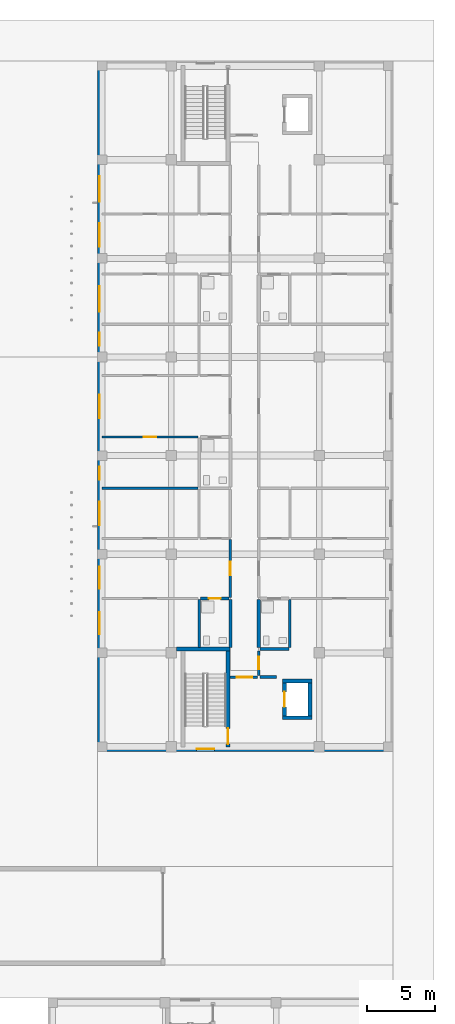
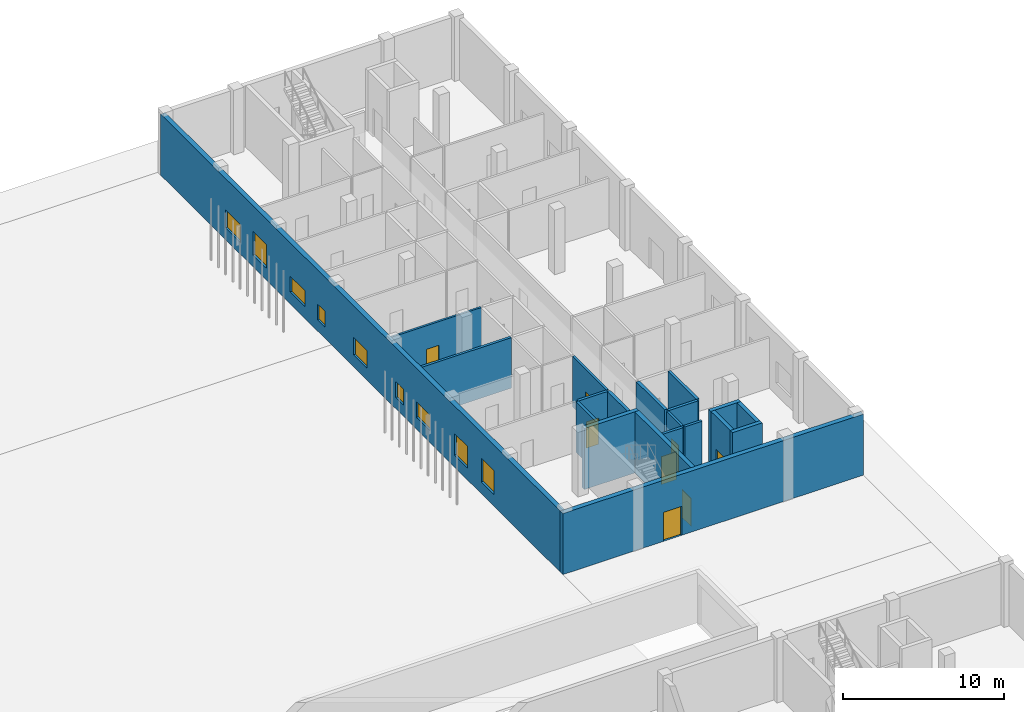
# One storey, part 52 of 85: 20 walls, 9 windows, 8 doors, 17 openings.
"""IFC4 building model written with IfcOpenShell, lengths in metres."""

from ifc_helpers import new_model, si_unit, derived_unit, direction, frame, frame_2d, origin, place, context, subcontext, project, spatial, rectangle, extrude, material, layer, layer_set, type_object, element, fill, save


model = new_model("IFC4")

# Units and contexts
model_context = context("Model", 3, precision=1e-05, world=origin(), true_north=direction((0.0, 1.0)))
body_context = subcontext(model_context, "Body", "Model", "MODEL_VIEW")
ifc_project = project(units=[si_unit("LENGTHUNIT", "METRE"), si_unit("AREAUNIT", "SQUARE_METRE"), si_unit("VOLUMEUNIT", "CUBIC_METRE"), si_unit("PLANEANGLEUNIT", "RADIAN"), si_unit("MASSUNIT", "GRAM", prefix="KILO"), derived_unit("THERMALTRANSMITTANCEUNIT", [(si_unit("MASSUNIT", "GRAM", prefix="KILO"), 1), (si_unit("TIMEUNIT", "SECOND"), -3), (si_unit("THERMODYNAMICTEMPERATUREUNIT", "KELVIN"), -1)])], contexts=[model_context])

# Site, building, storey
site_placement = place(None, origin())
site = spatial("IfcSite", under=ifc_project, at=site_placement, CompositionType="ELEMENT")
building_placement = place(site_placement, origin())
building = spatial("IfcBuilding", under=site, at=building_placement, Name="Ochrekiln Boulevard Commons", CompositionType="ELEMENT")
storey_placement = place(building_placement, origin())
storey = spatial("IfcBuildingStorey", under=building, at=storey_placement, Name="L00", CompositionType="ELEMENT", Elevation=0.0)

# Wall, opening, door
ifc_material_1 = material(Name="Iron-spot brown clinker brick masonry ASTM C216 Grade SW", Category="masonry")
ifc_layer_1 = layer(ifc_material_1, 0.340087890625)
ifc_layer_set_1 = layer_set([ifc_layer_1], Name="Iron-spot brown clinker brick masonry ASTM C216 Grade SW")
wall_type_1 = type_object("IfcWallType", Name="WL-EXT-IRON-340", PredefinedType="SOLIDWALL", material=ifc_layer_set_1)
wall_1_placement = place(storey_placement, frame((151.199951171875, 68.570068359375, 0.0), z_axis=(0.0, 0.0, 1.0), x_axis=(1.0, 0.0, 0.0)))
wall_1 = element("IfcWall", 1, at=wall_1_placement, inside=storey, type_object=wall_type_1, Name="Block B L00 S Exterior Wall", PredefinedType="SOLIDWALL", context=body_context, shape_type="SweptSolid", body=[
    extrude(rectangle(XDim=21.60009765625, YDim=0.340087890625, at=frame_2d((10.800048828125, 0.0))), origin(), (0.0, 0.0, 1.0), 4.639892578125),
])
opening_1_placement = place(wall_1_placement, frame((7.25, 0.0, 0.0)))
opening_1 = element("IfcOpeningElement", 2, at=opening_1_placement, cuts=wall_1, Name="Opening D-L00-EX18", PredefinedType="OPENING", context=body_context, shape_type="SweptSolid", body=[
    extrude(rectangle(XDim=1.300048828125, YDim=2.199951171875, at=frame_2d((0.64990234375, 1.10009765625))), frame((0.0, 0.179931640625, 0.0), z_axis=(0.0, -1.0, 0.0), x_axis=(1.0, 0.0, 0.0)), (0.0, 0.0, 1.0), 0.360107421875),
])
ifc_material_2 = material(Name="Bronze-anodized extruded aluminium 6063-T6", Category="aluminium")
door_type_1 = type_object("IfcDoorType", Name="DR-EXT-STAIR-130", OperationType="NOTDEFINED", PredefinedType="DOOR", material=ifc_material_2)
door_1_placement = place(opening_1_placement, frame((1.300048828125, 0.0, 0.0), z_axis=(0.0, 0.0, 1.0), x_axis=(-1.0, 0.0, 0.0)))
door_1 = element("IfcDoor", 3, at=door_1_placement, inside=storey, type_object=door_type_1, Name="Stair ST-B1 Exterior Exit Discharge Door", OperationType="SINGLE_SWING_RIGHT", OverallHeight=2.199951171875, OverallWidth=1.300048828125, PredefinedType="DOOR", context=body_context, shape_type="SweptSolid", body=[
    extrude(rectangle(XDim=1.300048828125, YDim=2.199951171875, at=frame_2d((0.64990234375, 1.10009765625))), frame((0.0, 0.02490234375, 0.0), z_axis=(0.0, -1.0, 0.0), x_axis=(1.0, 0.0, 0.0)), (0.0, 0.0, 1.0), 0.050048828125),
])
fill(opening_1, door_1)

# Wall, openings, windows
wall_2_placement = place(storey_placement, frame((151.3701171875, 68.739990234375, 0.0), z_axis=(0.0, 0.0, 1.0), x_axis=(0.0, 1.0, 0.0)))
wall_2 = element("IfcWall", 4, at=wall_2_placement, inside=storey, type_object=wall_type_1, Name="Block B L00 W Exterior Wall", PredefinedType="SOLIDWALL", context=body_context, shape_type="SweptSolid", body=[
    extrude(rectangle(XDim=49.719970703125, YDim=0.340087890625, at=frame_2d((24.85986328125, 0.0))), origin(), (0.0, 0.0, 1.0), 4.639892578125),
])
opening_2_placement = place(wall_2_placement, frame((11.552001953125, 0.0, 0.89990234375)))
opening_2 = element("IfcOpeningElement", 5, at=opening_2_placement, cuts=wall_2, Name="Opening W-34", PredefinedType="OPENING", context=body_context, shape_type="SweptSolid", body=[
    extrude(rectangle(XDim=1.60009765625, YDim=1.64990234375, at=frame_2d((0.800048828125, 0.824951171875))), frame((0.0, 0.179931640625, 0.0), z_axis=(0.0, -1.0, 0.0), x_axis=(1.0, 0.0, 0.0)), (0.0, 0.0, 1.0), 0.360107421875),
])
opening_3_placement = place(wall_2_placement, frame((8.20703125, 0.0, 0.89990234375)))
opening_3 = element("IfcOpeningElement", 6, at=opening_3_placement, cuts=wall_2, Name="Opening W-35", PredefinedType="OPENING", context=body_context, shape_type="SweptSolid", body=[
    extrude(rectangle(XDim=1.60009765625, YDim=1.800048828125, at=frame_2d((0.800048828125, 0.89990234375))), frame((0.0, 0.179931640625, 0.0), z_axis=(0.0, -1.0, 0.0), x_axis=(1.0, 0.0, 0.0)), (0.0, 0.0, 1.0), 0.360107421875),
])
opening_4_placement = place(wall_2_placement, frame((16.179931640625, 0.0, 0.89990234375)))
opening_4 = element("IfcOpeningElement", 7, at=opening_4_placement, cuts=wall_2, Name="Opening W-36", PredefinedType="OPENING", context=body_context, shape_type="SweptSolid", body=[
    extrude(rectangle(XDim=1.719970703125, YDim=1.199951171875, at=frame_2d((0.85986328125, 0.60009765625))), frame((0.0, 0.179931640625, 0.0), z_axis=(0.0, -1.0, 0.0), x_axis=(1.0, 0.0, 0.0)), (0.0, 0.0, 1.0), 0.360107421875),
])
opening_5_placement = place(wall_2_placement, frame((24.0, 0.0, 0.89990234375)))
opening_5 = element("IfcOpeningElement", 8, at=opening_5_placement, cuts=wall_2, Name="Opening W-37", PredefinedType="OPENING", context=body_context, shape_type="SweptSolid", body=[
    extrude(rectangle(XDim=1.719970703125, YDim=1.35009765625, at=frame_2d((0.85986328125, 0.675048828125))), frame((0.0, 0.179931640625, 0.0), z_axis=(0.0, -1.0, 0.0), x_axis=(1.0, 0.0, 0.0)), (0.0, 0.0, 1.0), 0.360107421875),
])
opening_6_placement = place(wall_2_placement, frame((19.5029296875, 0.0, 0.85009765625)))
opening_6 = element("IfcOpeningElement", 9, at=opening_6_placement, cuts=wall_2, Name="Opening W-01", PredefinedType="OPENING", context=body_context, shape_type="SweptSolid", body=[
    extrude(rectangle(XDim=0.949951171875, YDim=1.199951171875, at=frame_2d((0.47509765625, 0.60009765625))), frame((0.0, 0.179931640625, 0.0), z_axis=(0.0, -1.0, 0.0), x_axis=(1.0, 0.0, 0.0)), (0.0, 0.0, 1.0), 0.360107421875),
])
opening_7_placement = place(wall_2_placement, frame((29.26708984375, 0.0, 0.85009765625)))
opening_7 = element("IfcOpeningElement", 10, at=opening_7_placement, cuts=wall_2, Name="Opening W-01", PredefinedType="OPENING", context=body_context, shape_type="SweptSolid", body=[
    extrude(rectangle(XDim=0.949951171875, YDim=1.199951171875, at=frame_2d((0.47509765625, 0.60009765625))), frame((0.0, 0.179931640625, 0.0), z_axis=(0.0, -1.0, 0.0), x_axis=(1.0, 0.0, 0.0)), (0.0, 0.0, 1.0), 0.360107421875),
])
opening_8_placement = place(wall_2_placement, frame((36.508056640625, 0.0, 0.89990234375)))
opening_8 = element("IfcOpeningElement", 11, at=opening_8_placement, cuts=wall_2, Name="Opening W-40", PredefinedType="OPENING", context=body_context, shape_type="SweptSolid", body=[
    extrude(rectangle(XDim=1.719970703125, YDim=1.800048828125, at=frame_2d((0.85986328125, 0.89990234375))), frame((0.0, 0.179931640625, 0.0), z_axis=(0.0, -1.0, 0.0), x_axis=(1.0, 0.0, 0.0)), (0.0, 0.0, 1.0), 0.360107421875),
])
opening_9_placement = place(wall_2_placement, frame((31.756103515625, 0.0, 0.89990234375)))
opening_9 = element("IfcOpeningElement", 12, at=opening_9_placement, cuts=wall_2, Name="Opening W-41", PredefinedType="OPENING", context=body_context, shape_type="SweptSolid", body=[
    extrude(rectangle(XDim=1.85009765625, YDim=1.199951171875, at=frame_2d((0.925048828125, 0.60009765625))), frame((0.0, 0.179931640625, 0.0), z_axis=(0.0, -1.0, 0.0), x_axis=(1.0, 0.0, 0.0)), (0.0, 0.0, 1.0), 0.360107421875),
])
opening_10_placement = place(wall_2_placement, frame((39.7880859375, 0.0, 0.89990234375)))
opening_10 = element("IfcOpeningElement", 13, at=opening_10_placement, cuts=wall_2, Name="Opening W-42", PredefinedType="OPENING", context=body_context, shape_type="SweptSolid", body=[
    extrude(rectangle(XDim=1.85009765625, YDim=1.35009765625, at=frame_2d((0.925048828125, 0.675048828125))), frame((0.0, 0.179931640625, 0.0), z_axis=(0.0, -1.0, 0.0), x_axis=(1.0, 0.0, 0.0)), (0.0, 0.0, 1.0), 0.360107421875),
])
ifc_material_3 = material(Name="Thermally broken aluminium-clad oak frame", Category="aluminium")
window_type_1 = type_object("IfcWindowType", Name="WIN-EXT-01", PartitioningType="SINGLE_PANEL", PredefinedType="WINDOW", material=ifc_material_3)
window_1_placement = place(opening_6_placement, origin())
window_1 = element("IfcWindow", 14, at=window_1_placement, inside=storey, type_object=window_type_1, Name="Block B L00 Punched Masonry Window W-01", OverallHeight=1.199951171875, OverallWidth=0.949951171875, PartitioningType="SINGLE_PANEL", PredefinedType="WINDOW", context=body_context, shape_type="SweptSolid", body=[
    extrude(rectangle(XDim=0.949951171875, YDim=1.199951171875, at=frame_2d((0.47509765625, 0.60009765625))), frame((0.0, 0.030029296875, 0.0), z_axis=(0.0, -1.0, 0.0), x_axis=(1.0, 0.0, 0.0)), (0.0, 0.0, 1.0), 0.06005859375),
])
fill(opening_6, window_1)
window_2_placement = place(opening_7_placement, origin())
window_2 = element("IfcWindow", 15, at=window_2_placement, inside=storey, type_object=window_type_1, Name="Block B L00 Punched Masonry Window W-01", OverallHeight=1.199951171875, OverallWidth=0.949951171875, PartitioningType="SINGLE_PANEL", PredefinedType="WINDOW", context=body_context, shape_type="SweptSolid", body=[
    extrude(rectangle(XDim=0.949951171875, YDim=1.199951171875, at=frame_2d((0.47509765625, 0.60009765625))), frame((0.0, 0.030029296875, 0.0), z_axis=(0.0, -1.0, 0.0), x_axis=(1.0, 0.0, 0.0)), (0.0, 0.0, 1.0), 0.06005859375),
])
fill(opening_7, window_2)
window_type_2 = type_object("IfcWindowType", Name="WIN-EXT-34", PartitioningType="DOUBLE_PANEL_VERTICAL", PredefinedType="WINDOW", material=ifc_material_3)
window_3_placement = place(opening_2_placement, origin())
window_3 = element("IfcWindow", 16, at=window_3_placement, inside=storey, type_object=window_type_2, Name="Block B L00 Punched Masonry Window W-34", OverallHeight=1.64990234375, OverallWidth=1.60009765625, PartitioningType="DOUBLE_PANEL_VERTICAL", PredefinedType="WINDOW", context=body_context, shape_type="SweptSolid", body=[
    extrude(rectangle(XDim=1.60009765625, YDim=1.64990234375, at=frame_2d((0.800048828125, 0.824951171875))), frame((0.0, 0.030029296875, 0.0), z_axis=(0.0, -1.0, 0.0), x_axis=(1.0, 0.0, 0.0)), (0.0, 0.0, 1.0), 0.06005859375),
])
fill(opening_2, window_3)
window_type_3 = type_object("IfcWindowType", Name="WIN-EXT-35", PartitioningType="DOUBLE_PANEL_VERTICAL", PredefinedType="WINDOW", material=ifc_material_3)
window_4_placement = place(opening_3_placement, origin())
window_4 = element("IfcWindow", 17, at=window_4_placement, inside=storey, type_object=window_type_3, Name="Block B L00 Punched Masonry Window W-35", OverallHeight=1.800048828125, OverallWidth=1.60009765625, PartitioningType="DOUBLE_PANEL_VERTICAL", PredefinedType="WINDOW", context=body_context, shape_type="SweptSolid", body=[
    extrude(rectangle(XDim=1.60009765625, YDim=1.800048828125, at=frame_2d((0.800048828125, 0.89990234375))), frame((0.0, 0.030029296875, 0.0), z_axis=(0.0, -1.0, 0.0), x_axis=(1.0, 0.0, 0.0)), (0.0, 0.0, 1.0), 0.06005859375),
])
fill(opening_3, window_4)
window_type_4 = type_object("IfcWindowType", Name="WIN-EXT-36", PartitioningType="DOUBLE_PANEL_VERTICAL", PredefinedType="WINDOW", material=ifc_material_3)
window_5_placement = place(opening_4_placement, origin())
window_5 = element("IfcWindow", 18, at=window_5_placement, inside=storey, type_object=window_type_4, Name="Block B L00 Punched Masonry Window W-36", OverallHeight=1.199951171875, OverallWidth=1.719970703125, PartitioningType="DOUBLE_PANEL_VERTICAL", PredefinedType="WINDOW", context=body_context, shape_type="SweptSolid", body=[
    extrude(rectangle(XDim=1.719970703125, YDim=1.199951171875, at=frame_2d((0.85986328125, 0.60009765625))), frame((0.0, 0.030029296875, 0.0), z_axis=(0.0, -1.0, 0.0), x_axis=(1.0, 0.0, 0.0)), (0.0, 0.0, 1.0), 0.06005859375),
])
fill(opening_4, window_5)
window_type_5 = type_object("IfcWindowType", Name="WIN-EXT-37", PartitioningType="DOUBLE_PANEL_VERTICAL", PredefinedType="WINDOW", material=ifc_material_3)
window_6_placement = place(opening_5_placement, origin())
window_6 = element("IfcWindow", 19, at=window_6_placement, inside=storey, type_object=window_type_5, Name="Block B L00 Punched Masonry Window W-37", OverallHeight=1.35009765625, OverallWidth=1.719970703125, PartitioningType="DOUBLE_PANEL_VERTICAL", PredefinedType="WINDOW", context=body_context, shape_type="SweptSolid", body=[
    extrude(rectangle(XDim=1.719970703125, YDim=1.35009765625, at=frame_2d((0.85986328125, 0.675048828125))), frame((0.0, 0.030029296875, 0.0), z_axis=(0.0, -1.0, 0.0), x_axis=(1.0, 0.0, 0.0)), (0.0, 0.0, 1.0), 0.06005859375),
])
fill(opening_5, window_6)
window_type_6 = type_object("IfcWindowType", Name="WIN-EXT-40", PartitioningType="DOUBLE_PANEL_VERTICAL", PredefinedType="WINDOW", material=ifc_material_3)
window_7_placement = place(opening_8_placement, origin())
window_7 = element("IfcWindow", 20, at=window_7_placement, inside=storey, type_object=window_type_6, Name="Block B L00 Punched Masonry Window W-40", OverallHeight=1.800048828125, OverallWidth=1.719970703125, PartitioningType="DOUBLE_PANEL_VERTICAL", PredefinedType="WINDOW", context=body_context, shape_type="SweptSolid", body=[
    extrude(rectangle(XDim=1.719970703125, YDim=1.800048828125, at=frame_2d((0.85986328125, 0.89990234375))), frame((0.0, 0.030029296875, 0.0), z_axis=(0.0, -1.0, 0.0), x_axis=(1.0, 0.0, 0.0)), (0.0, 0.0, 1.0), 0.06005859375),
])
fill(opening_8, window_7)
window_type_7 = type_object("IfcWindowType", Name="WIN-EXT-41", PartitioningType="DOUBLE_PANEL_VERTICAL", PredefinedType="WINDOW", material=ifc_material_3)
window_8_placement = place(opening_9_placement, origin())
window_8 = element("IfcWindow", 21, at=window_8_placement, inside=storey, type_object=window_type_7, Name="Block B L00 Punched Masonry Window W-41", OverallHeight=1.199951171875, OverallWidth=1.85009765625, PartitioningType="DOUBLE_PANEL_VERTICAL", PredefinedType="WINDOW", context=body_context, shape_type="SweptSolid", body=[
    extrude(rectangle(XDim=1.85009765625, YDim=1.199951171875, at=frame_2d((0.925048828125, 0.60009765625))), frame((0.0, 0.030029296875, 0.0), z_axis=(0.0, -1.0, 0.0), x_axis=(1.0, 0.0, 0.0)), (0.0, 0.0, 1.0), 0.06005859375),
])
fill(opening_9, window_8)
window_type_8 = type_object("IfcWindowType", Name="WIN-EXT-42", PartitioningType="DOUBLE_PANEL_VERTICAL", PredefinedType="WINDOW", material=ifc_material_3)
window_9_placement = place(opening_10_placement, origin())
window_9 = element("IfcWindow", 22, at=window_9_placement, inside=storey, type_object=window_type_8, Name="Block B L00 Punched Masonry Window W-42", OverallHeight=1.35009765625, OverallWidth=1.85009765625, PartitioningType="DOUBLE_PANEL_VERTICAL", PredefinedType="WINDOW", context=body_context, shape_type="SweptSolid", body=[
    extrude(rectangle(XDim=1.85009765625, YDim=1.35009765625, at=frame_2d((0.925048828125, 0.675048828125))), frame((0.0, 0.030029296875, 0.0), z_axis=(0.0, -1.0, 0.0), x_axis=(1.0, 0.0, 0.0)), (0.0, 0.0, 1.0), 0.06005859375),
])
fill(opening_10, window_9)

# Wall
ifc_material_4 = material(Name="Moisture-resistant cementitious tile backer wall")
ifc_layer_2 = layer(ifc_material_4, 0.199951171875)
ifc_layer_set_2 = layer_set([ifc_layer_2], Name="Moisture-resistant cementitious tile backer wall")
wall_type_2 = type_object("IfcWallType", Name="WL-PLM-200", PredefinedType="PLUMBINGWALL", material=ifc_layer_set_2)
wall_3_placement = place(storey_placement, frame((163.072998046875, 75.875, 0.0), z_axis=(0.0, 0.0, 1.0), x_axis=(1.0, 0.0, 0.0)))
element("IfcWall", 23, at=wall_3_placement, inside=storey, type_object=wall_type_2, Name="L00 Interior Wall W-PW200", PredefinedType="PLUMBINGWALL", context=body_context, shape_type="SweptSolid", body=[
    extrude(rectangle(XDim=2.10693359375, YDim=0.199951171875, at=frame_2d((1.053466796875, 0.0))), origin(), (0.0, 0.0, 1.0), 3.840087890625),
])

# Wall, opening, door
wall_4_placement = place(storey_placement, frame((158.719970703125, 79.572998046875, 0.0), z_axis=(0.0, 0.0, 1.0), x_axis=(1.0, 0.0, 0.0)))
wall_4 = element("IfcWall", 24, at=wall_4_placement, inside=storey, type_object=wall_type_2, Name="L00 Interior Wall W-PW200", PredefinedType="PLUMBINGWALL", context=body_context, shape_type="SweptSolid", body=[
    extrude(rectangle(XDim=2.10693359375, YDim=0.199951171875, at=frame_2d((1.053466796875, 0.0))), origin(), (0.0, 0.0, 1.0), 3.840087890625),
])
opening_11_placement = place(wall_4_placement, frame((0.6201171875, 0.0, 0.0)))
opening_11 = element("IfcOpeningElement", 25, at=opening_11_placement, cuts=wall_4, Name="Opening D-L00-032", PredefinedType="OPENING", context=body_context, shape_type="SweptSolid", body=[
    extrude(rectangle(XDim=0.860107421875, YDim=2.0, at=frame_2d((0.43017578125, 1.0))), frame((0.0, 0.10986328125, 0.0), z_axis=(0.0, -1.0, 0.0), x_axis=(1.0, 0.0, 0.0)), (0.0, 0.0, 1.0), 0.219970703125),
])
ifc_material_5 = material(Name="Solid core architectural oak door leaf")
door_type_2 = type_object("IfcDoorType", Name="DR-INT-BTH-086", OperationType="NOTDEFINED", PredefinedType="DOOR", material=ifc_material_5)
door_2_placement = place(opening_11_placement, frame((0.860107421875, 0.0, 0.0), z_axis=(0.0, 0.0, 1.0), x_axis=(-1.0, 0.0, 0.0)))
door_2 = element("IfcDoor", 26, at=door_2_placement, inside=storey, type_object=door_type_2, Name="L00 Interior Door to Accessible Apartment Bathroom", OperationType="SINGLE_SWING_RIGHT", OverallHeight=2.0, OverallWidth=0.860107421875, PredefinedType="DOOR", context=body_context, shape_type="SweptSolid", body=[
    extrude(rectangle(XDim=0.860107421875, YDim=2.0, at=frame_2d((0.43017578125, 1.0))), frame((0.0, 0.02490234375, 0.0), z_axis=(0.0, -1.0, 0.0), x_axis=(1.0, 0.0, 0.0)), (0.0, 0.0, 1.0), 0.050048828125),
])
fill(opening_11, door_2)

# Walls
wall_5_placement = place(storey_placement, frame((158.639892578125, 76.0, 0.0), z_axis=(0.0, 0.0, 1.0), x_axis=(0.0, 1.0, 0.0)))
element("IfcWall", 27, at=wall_5_placement, inside=storey, type_object=wall_type_2, Name="L00 Interior Wall W-PW200", PredefinedType="PLUMBINGWALL", context=body_context, shape_type="SweptSolid", body=[
    extrude(rectangle(XDim=3.492919921875, YDim=0.199951171875, at=frame_2d((1.74658203125, 0.0))), origin(), (0.0, 0.0, 1.0), 3.840087890625),
])
wall_6_placement = place(storey_placement, frame((165.260009765625, 75.97509765625, 0.0), z_axis=(0.0, 0.0, 1.0), x_axis=(0.0, 1.0, 0.0)))
element("IfcWall", 28, at=wall_6_placement, inside=storey, type_object=wall_type_2, Name="L00 Interior Wall W-PW200", PredefinedType="PLUMBINGWALL", context=body_context, shape_type="SweptSolid", body=[
    extrude(rectangle(XDim=3.517822265625, YDim=0.199951171875, at=frame_2d((1.7587890625, 0.0))), origin(), (0.0, 0.0, 1.0), 3.840087890625),
])
ifc_layer_3 = layer(ifc_material_4, 0.219970703125)
ifc_layer_set_3 = layer_set([ifc_layer_3], Name="Moisture-resistant cementitious tile backer wall")
wall_type_3 = type_object("IfcWallType", Name="WL-PLM-220", PredefinedType="PLUMBINGWALL", material=ifc_layer_set_3)
wall_7_placement = place(storey_placement, frame((160.909912109375, 76.0, 0.0), z_axis=(0.0, 0.0, 1.0), x_axis=(0.0, 1.0, 0.0)))
element("IfcWall", 29, at=wall_7_placement, inside=storey, type_object=wall_type_3, Name="L00 Interior Wall W-PW220", PredefinedType="PLUMBINGWALL", context=body_context, shape_type="SweptSolid", body=[
    extrude(rectangle(XDim=3.492919921875, YDim=0.219970703125, at=frame_2d((1.74658203125, 0.0))), origin(), (0.0, 0.0, 1.0), 3.840087890625),
])
wall_8_placement = place(storey_placement, frame((162.989990234375, 75.97509765625, 0.0), z_axis=(0.0, 0.0, 1.0), x_axis=(0.0, 1.0, 0.0)))
element("IfcWall", 30, at=wall_8_placement, inside=storey, type_object=wall_type_3, Name="L00 Interior Wall W-PW220", PredefinedType="PLUMBINGWALL", context=body_context, shape_type="SweptSolid", body=[
    extrude(rectangle(XDim=3.517822265625, YDim=0.219970703125, at=frame_2d((1.7587890625, 0.0))), origin(), (0.0, 0.0, 1.0), 3.840087890625),
])

# Wall, opening, door
ifc_material_6 = material(Name="Fire-rated Type X gypsum board on steel studs", Category="steel")
ifc_layer_4 = layer(ifc_material_6, 0.1650390625)
ifc_layer_set_4 = layer_set([ifc_layer_4], Name="Fire-rated Type X gypsum board on steel studs")
wall_type_4 = type_object("IfcWallType", Name="WL-PT-CORR-165", PredefinedType="PARTITIONING", material=ifc_layer_set_4)
wall_9_placement = place(storey_placement, frame((162.989990234375, 73.929931640625, 0.0), z_axis=(0.0, 0.0, 1.0), x_axis=(0.0, 1.0, 0.0)))
wall_9 = element("IfcWall", 31, at=wall_9_placement, inside=storey, type_object=wall_type_4, Name="L00 Interior Wall W-PC165", PredefinedType="PARTITIONING", context=body_context, shape_type="SweptSolid", body=[
    extrude(rectangle(XDim=1.820068359375, YDim=0.1650390625, at=frame_2d((0.91015625, 0.0))), origin(), (0.0, 0.0, 1.0), 3.840087890625),
])
opening_12_placement = place(wall_9_placement, frame((0.4599609375, 0.0, 0.0)))
opening_12 = element("IfcOpeningElement", 32, at=opening_12_placement, cuts=wall_9, Name="Opening D-L00-025", PredefinedType="OPENING", context=body_context, shape_type="SweptSolid", body=[
    extrude(rectangle(XDim=0.919921875, YDim=2.0400390625, at=frame_2d((0.4599609375, 1.02001953125))), frame((0.0, 0.092529296875, 0.0), z_axis=(0.0, -1.0, 0.0), x_axis=(1.0, 0.0, 0.0)), (0.0, 0.0, 1.0), 0.18505859375),
])
ifc_material_7 = material(Name="Hollow metal fire-rated steel door assembly", Category="steel")
door_type_3 = type_object("IfcDoorType", Name="DR-SRV-90", OperationType="NOTDEFINED", PredefinedType="DOOR", material=ifc_material_7)
door_3_placement = place(opening_12_placement, frame((0.919921875, 0.0, 0.0), z_axis=(0.0, 0.0, 1.0), x_axis=(-1.0, 0.0, 0.0)))
door_3 = element("IfcDoor", 33, at=door_3_placement, inside=storey, type_object=door_type_3, Name="L00 Interior Door to Hydronic and Electrical Riser Room", OperationType="SINGLE_SWING_LEFT", OverallHeight=2.0400390625, OverallWidth=0.919921875, PredefinedType="DOOR", context=body_context, shape_type="SweptSolid", body=[
    extrude(rectangle(XDim=0.919921875, YDim=2.0400390625, at=frame_2d((0.4599609375, 1.02001953125))), frame((0.0, 0.02490234375, 0.0), z_axis=(0.0, -1.0, 0.0), x_axis=(1.0, 0.0, 0.0)), (0.0, 0.0, 1.0), 0.050048828125),
])
fill(opening_12, door_3)

wall_10_placement = place(storey_placement, frame((160.909912109375, 79.653076171875, 0.0), z_axis=(0.0, 0.0, 1.0), x_axis=(0.0, 1.0, 0.0)))
wall_10 = element("IfcWall", 34, at=wall_10_placement, inside=storey, type_object=wall_type_4, Name="L00 Interior Wall W-PC165", PredefinedType="PARTITIONING", context=body_context, shape_type="SweptSolid", body=[
    extrude(rectangle(XDim=4.219970703125, YDim=0.1650390625, at=frame_2d((2.10986328125, 0.0))), origin(), (0.0, 0.0, 1.0), 3.840087890625),
])
opening_13_placement = place(wall_10_placement, frame((1.60498046875, 0.0, 0.0)))
opening_13 = element("IfcOpeningElement", 35, at=opening_13_placement, cuts=wall_10, Name="Opening D-L00-026", PredefinedType="OPENING", context=body_context, shape_type="SweptSolid", body=[
    extrude(rectangle(XDim=1.010009765625, YDim=2.110107421875, at=frame_2d((0.5048828125, 1.05517578125))), frame((0.0, 0.092529296875, 0.0), z_axis=(0.0, -1.0, 0.0), x_axis=(1.0, 0.0, 0.0)), (0.0, 0.0, 1.0), 0.18505859375),
])
door_type_4 = type_object("IfcDoorType", Name="DR-INT-APT-101", OperationType="NOTDEFINED", PredefinedType="DOOR", material=ifc_material_5)
door_4_placement = place(opening_13_placement, origin())
door_4 = element("IfcDoor", 36, at=door_4_placement, inside=storey, type_object=door_type_4, Name="L00 Interior Door to Two-Bedroom Apartment Living Room", OperationType="SINGLE_SWING_RIGHT", OverallHeight=2.110107421875, OverallWidth=1.010009765625, PredefinedType="DOOR", context=body_context, shape_type="SweptSolid", body=[
    extrude(rectangle(XDim=1.010009765625, YDim=2.110107421875, at=frame_2d((0.5048828125, 1.05517578125))), frame((0.0, 0.02490234375, 0.0), z_axis=(0.0, -1.0, 0.0), x_axis=(1.0, 0.0, 0.0)), (0.0, 0.0, 1.0), 0.050048828125),
])
fill(opening_13, door_4)

# Walls
ifc_layer_5 = layer(ifc_material_6, 0.179931640625)
ifc_layer_set_5 = layer_set([ifc_layer_5], Name="Fire-rated Type X gypsum board on steel studs")
wall_type_5 = type_object("IfcWallType", Name="WL-PT-DEM-180", PredefinedType="PARTITIONING", material=ifc_layer_set_5)
wall_11_placement = place(storey_placement, frame((151.5400390625, 87.615966796875, 0.0), z_axis=(0.0, 0.0, 1.0), x_axis=(1.0, 0.0, 0.0)))
element("IfcWall", 37, at=wall_11_placement, inside=storey, type_object=wall_type_5, Name="L00 Interior Wall W-PD180", PredefinedType="PARTITIONING", context=body_context, shape_type="SweptSolid", body=[
    extrude(rectangle(XDim=7.02001953125, YDim=0.179931640625, at=frame_2d((3.510009765625, 0.0))), origin(), (0.0, 0.0, 1.0), 3.840087890625),
])
ifc_layer_6 = layer(ifc_material_6, 0.18994140625)
ifc_layer_set_6 = layer_set([ifc_layer_6], Name="Fire-rated Type X gypsum board on steel studs")
wall_type_6 = type_object("IfcWallType", Name="WL-PT-LBY-190", PredefinedType="PARTITIONING", material=ifc_layer_set_6)
wall_12_placement = place(storey_placement, frame((163.080078125, 73.8349609375, 0.0), z_axis=(0.0, 0.0, 1.0), x_axis=(1.0, 0.0, 0.0)))
element("IfcWall", 38, at=wall_12_placement, inside=storey, type_object=wall_type_6, Name="L00 Interior Wall W-PL190", PredefinedType="PARTITIONING", context=body_context, shape_type="SweptSolid", body=[
    extrude(rectangle(XDim=1.219970703125, YDim=0.18994140625, at=frame_2d((0.60986328125, 0.0))), origin(), (0.0, 0.0, 1.0), 3.840087890625),
])

# Wall, opening, door
wall_13_placement = place(storey_placement, frame((160.89990234375, 73.820068359375, 0.0), z_axis=(0.0, 0.0, 1.0), x_axis=(1.0, 0.0, 0.0)))
wall_13 = element("IfcWall", 39, at=wall_13_placement, inside=storey, type_object=wall_type_6, Name="L00 Interior Wall W-PL190", PredefinedType="PARTITIONING", context=body_context, shape_type="SweptSolid", body=[
    extrude(rectangle(XDim=2.0, YDim=0.18994140625, at=frame_2d((1.0, 0.0))), origin(), (0.0, 0.0, 1.0), 3.840087890625),
])
opening_14_placement = place(wall_13_placement, frame((0.5, 0.0, 0.0)))
opening_14 = element("IfcOpeningElement", 40, at=opening_14_placement, cuts=wall_13, Name="Opening D-L00-023", PredefinedType="OPENING", context=body_context, shape_type="SweptSolid", body=[
    extrude(rectangle(XDim=1.10009765625, YDim=2.1201171875, at=frame_2d((0.550048828125, 1.06005859375))), frame((0.0, 0.10498046875, 0.0), z_axis=(0.0, -1.0, 0.0), x_axis=(1.0, 0.0, 0.0)), (0.0, 0.0, 1.0), 0.2099609375),
])
door_type_5 = type_object("IfcDoorType", Name="DR-LOBBY-60", OperationType="NOTDEFINED", PredefinedType="DOOR", material=ifc_material_7)
door_5_placement = place(opening_14_placement, frame((1.10009765625, 0.0, 0.0), z_axis=(0.0, 0.0, 1.0), x_axis=(-1.0, 0.0, 0.0)))
door_5 = element("IfcDoor", 41, at=door_5_placement, inside=storey, type_object=door_type_5, Name="L00 Interior Door to Fire Service Access Elevator Lobby", OperationType="SINGLE_SWING_LEFT", OverallHeight=2.1201171875, OverallWidth=1.10009765625, PredefinedType="DOOR", context=body_context, shape_type="SweptSolid", body=[
    extrude(rectangle(XDim=1.10009765625, YDim=2.1201171875, at=frame_2d((0.550048828125, 1.06005859375))), frame((0.0, 0.02490234375, 0.0), z_axis=(0.0, -1.0, 0.0), x_axis=(1.0, 0.0, 0.0)), (0.0, 0.0, 1.0), 0.050048828125),
])
fill(opening_14, door_5)

ifc_layer_7 = layer(ifc_material_6, 0.14990234375)
ifc_layer_set_7 = layer_set([ifc_layer_7], Name="Fire-rated Type X gypsum board on steel studs")
wall_type_7 = type_object("IfcWallType", Name="WL-PT-STD-150", PredefinedType="PARTITIONING", material=ifc_layer_set_7)
wall_14_placement = place(storey_placement, frame((151.5400390625, 91.360107421875, 0.0), z_axis=(0.0, 0.0, 1.0), x_axis=(1.0, 0.0, 0.0)))
wall_14 = element("IfcWall", 42, at=wall_14_placement, inside=storey, type_object=wall_type_7, Name="L00 Interior Wall W-PS150", PredefinedType="PARTITIONING", context=body_context, shape_type="SweptSolid", body=[
    extrude(rectangle(XDim=7.02001953125, YDim=0.14990234375, at=frame_2d((3.510009765625, 0.0))), origin(), (0.0, 0.0, 1.0), 3.840087890625),
])
opening_15_placement = place(wall_14_placement, frame((3.06494140625, 0.0, 0.0)))
opening_15 = element("IfcOpeningElement", 43, at=opening_15_placement, cuts=wall_14, Name="Opening D-L00-038", PredefinedType="OPENING", context=body_context, shape_type="SweptSolid", body=[
    extrude(rectangle(XDim=0.89990234375, YDim=2.0400390625, at=frame_2d((0.449951171875, 1.02001953125))), frame((0.0, 0.0849609375, 0.0), z_axis=(0.0, -1.0, 0.0), x_axis=(1.0, 0.0, 0.0)), (0.0, 0.0, 1.0), 0.169921875),
])
door_type_6 = type_object("IfcDoorType", Name="DR-INT-BED-090", OperationType="NOTDEFINED", PredefinedType="DOOR", material=ifc_material_5)
door_6_placement = place(opening_15_placement, frame((0.89990234375, 0.0, 0.0), z_axis=(0.0, 0.0, 1.0), x_axis=(-1.0, 0.0, 0.0)))
door_6 = element("IfcDoor", 44, at=door_6_placement, inside=storey, type_object=door_type_6, Name="L00 Interior Door to Primary Apartment Bedroom", OperationType="SINGLE_SWING_RIGHT", OverallHeight=2.0400390625, OverallWidth=0.89990234375, PredefinedType="DOOR", context=body_context, shape_type="SweptSolid", body=[
    extrude(rectangle(XDim=0.89990234375, YDim=2.0400390625, at=frame_2d((0.449951171875, 1.02001953125))), frame((0.0, 0.02490234375, 0.0), z_axis=(0.0, -1.0, 0.0), x_axis=(1.0, 0.0, 0.0)), (0.0, 0.0, 1.0), 0.050048828125),
])
fill(opening_15, door_6)

# Walls
ifc_material_8 = material(Name="Concrete C40/50", Category="concrete")
ifc_layer_8 = layer(ifc_material_8, 0.27490234375)
ifc_layer_set_8 = layer_set([ifc_layer_8], Name="Concrete C40/50")
wall_type_8 = type_object("IfcWallType", Name="WL-SH-275", PredefinedType="SHEAR", material=ifc_layer_set_8)
for number, where, z_axis, x_axis, name in (
    (45, (164.72509765625, 70.862548828125, 0.0), (0.0, 0.0, 1.0), (1.0, 0.0, 0.0), "Elevator FF-B1 L00 Hoistway Shear Wall"),
    (46, (164.72509765625, 73.53759765625, 0.0), (0.0, 0.0, 1.0), (1.0, 0.0, 0.0), "Elevator FF-B1 L00 Hoistway Shear Wall"),
):
    element("IfcWall", number, at=place(storey_placement, frame(where, z_axis=z_axis, x_axis=x_axis)), inside=storey, type_object=wall_type_8, Name=name, PredefinedType="SHEAR", context=body_context, shape_type="SweptSolid", body=[
        extrude(rectangle(XDim=2.14990234375, YDim=0.27490234375, at=frame_2d((1.074951171875, 0.0))), origin(), (0.0, 0.0, 1.0), 4.639892578125),
    ])

# Wall, opening, door
wall_15_placement = place(storey_placement, frame((164.862548828125, 71.0, 0.0), z_axis=(0.0, 0.0, 1.0), x_axis=(0.0, 1.0, 0.0)))
wall_15 = element("IfcWall", 47, at=wall_15_placement, inside=storey, type_object=wall_type_8, Name="Elevator FF-B1 L00 Hoistway Shear Wall", PredefinedType="SHEAR", context=body_context, shape_type="SweptSolid", body=[
    extrude(rectangle(XDim=2.39990234375, YDim=0.27490234375, at=frame_2d((1.199951171875, 0.0))), origin(), (0.0, 0.0, 1.0), 4.639892578125),
])
opening_16_placement = place(wall_15_placement, frame((0.64990234375, 0.0, 0.0)))
opening_16 = element("IfcOpeningElement", 48, at=opening_16_placement, cuts=wall_15, Name="Opening LD-FF-B1-L00", PredefinedType="OPENING", context=body_context, shape_type="SweptSolid", body=[
    extrude(rectangle(XDim=1.10009765625, YDim=2.14990234375, at=frame_2d((0.550048828125, 1.074951171875))), frame((0.0, 0.1474609375, 0.0), z_axis=(0.0, -1.0, 0.0), x_axis=(1.0, 0.0, 0.0)), (0.0, 0.0, 1.0), 0.294921875),
])
ifc_material_9 = material(Name="Brushed stainless steel 316 elevator cab and doors", Category="steel")
door_type_7 = type_object("IfcDoorType", Name="DR-LIFT-LD90", OperationType="SLIDING_TO_LEFT", PredefinedType="DOOR", material=ifc_material_9)
door_7_placement = place(opening_16_placement, origin())
door_7 = element("IfcDoor", 49, at=door_7_placement, inside=storey, type_object=door_type_7, Name="Elevator FF-B1 L00 Sliding Landing Door LD-FF-B1-L00", OperationType="SLIDING_TO_LEFT", OverallHeight=2.14990234375, OverallWidth=1.10009765625, PredefinedType="DOOR", context=body_context, shape_type="SweptSolid", body=[
    extrude(rectangle(XDim=1.10009765625, YDim=2.14990234375, at=frame_2d((0.550048828125, 1.074951171875))), frame((0.0, 0.02490234375, 0.0), z_axis=(0.0, -1.0, 0.0), x_axis=(1.0, 0.0, 0.0)), (0.0, 0.0, 1.0), 0.050048828125),
])
fill(opening_16, door_7)

# Walls
wall_16_placement = place(storey_placement, frame((166.737548828125, 71.0, 0.0), z_axis=(0.0, 0.0, 1.0), x_axis=(0.0, 1.0, 0.0)))
element("IfcWall", 50, at=wall_16_placement, inside=storey, type_object=wall_type_8, Name="Elevator FF-B1 L00 Hoistway Shear Wall", PredefinedType="SHEAR", context=body_context, shape_type="SweptSolid", body=[
    extrude(rectangle(XDim=2.39990234375, YDim=0.27490234375, at=frame_2d((1.199951171875, 0.0))), origin(), (0.0, 0.0, 1.0), 4.639892578125),
])
ifc_layer_9 = layer(ifc_material_8, 0.300048828125)
ifc_layer_set_9 = layer_set([ifc_layer_9], Name="Concrete C40/50")
wall_type_9 = type_object("IfcWallType", Name="WL-SH-300", PredefinedType="SHEAR", material=ifc_layer_set_9)
wall_17_placement = place(storey_placement, frame((156.97509765625, 75.8701171875, 0.0), z_axis=(0.0, 0.0, 1.0), x_axis=(1.0, 0.0, 0.0)))
element("IfcWall", 51, at=wall_17_placement, inside=storey, type_object=wall_type_9, Name="Stair ST-B1 L00 Core Shear Wall N", PredefinedType="SHEAR", context=body_context, shape_type="SweptSolid", body=[
    extrude(rectangle(XDim=3.9248046875, YDim=0.300048828125, at=frame_2d((1.96240234375, 0.0))), origin(), (0.0, 0.0, 1.0), 4.639892578125),
])

# Wall, opening, door
wall_18_placement = place(storey_placement, frame((160.75, 68.719970703125, 0.0), z_axis=(0.0, 0.0, 1.0), x_axis=(0.0, 1.0, 0.0)))
wall_18 = element("IfcWall", 52, at=wall_18_placement, inside=storey, type_object=wall_type_9, Name="Stair ST-B1 L00 Core Shear Wall E", PredefinedType="SHEAR", context=body_context, shape_type="SweptSolid", body=[
    extrude(rectangle(XDim=7.0, YDim=0.300048828125, at=frame_2d((3.5, 0.0))), origin(), (0.0, 0.0, 1.0), 4.639892578125),
])
opening_17_placement = place(wall_18_placement, frame((0.22509765625, 0.0, 0.0)))
opening_17 = element("IfcOpeningElement", 53, at=opening_17_placement, cuts=wall_18, Name="Opening D-L00-ST-B1", PredefinedType="OPENING", context=body_context, shape_type="SweptSolid", body=[
    extrude(rectangle(XDim=1.14990234375, YDim=2.1201171875, at=frame_2d((0.574951171875, 1.06005859375))), frame((0.0, 0.159912109375, 0.0), z_axis=(0.0, -1.0, 0.0), x_axis=(1.0, 0.0, 0.0)), (0.0, 0.0, 1.0), 0.320068359375),
])
door_type_8 = type_object("IfcDoorType", Name="DR-STAIR-90", OperationType="NOTDEFINED", PredefinedType="DOOR", material=ifc_material_7)
door_8_placement = place(opening_17_placement, origin())
door_8 = element("IfcDoor", 54, at=door_8_placement, inside=storey, type_object=door_type_8, Name="Enclosed Exit Stair ST-B1 L00 Rated Door", OperationType="SINGLE_SWING_RIGHT", OverallHeight=2.1201171875, OverallWidth=1.14990234375, PredefinedType="DOOR", context=body_context, shape_type="SweptSolid", body=[
    extrude(rectangle(XDim=1.14990234375, YDim=2.1201171875, at=frame_2d((0.574951171875, 1.06005859375))), frame((0.0, 0.02490234375, 0.0), z_axis=(0.0, -1.0, 0.0), x_axis=(1.0, 0.0, 0.0)), (0.0, 0.0, 1.0), 0.050048828125),
])
fill(opening_17, door_8)

save(model, "model.ifc")
